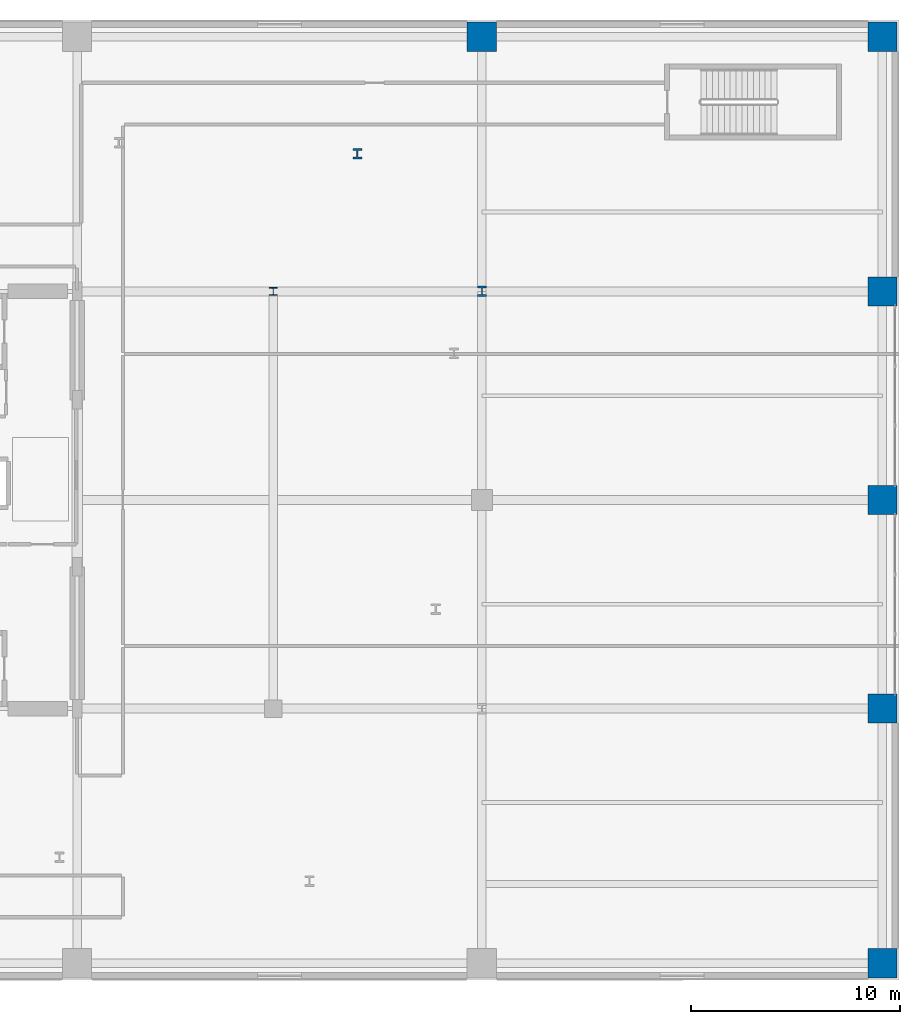
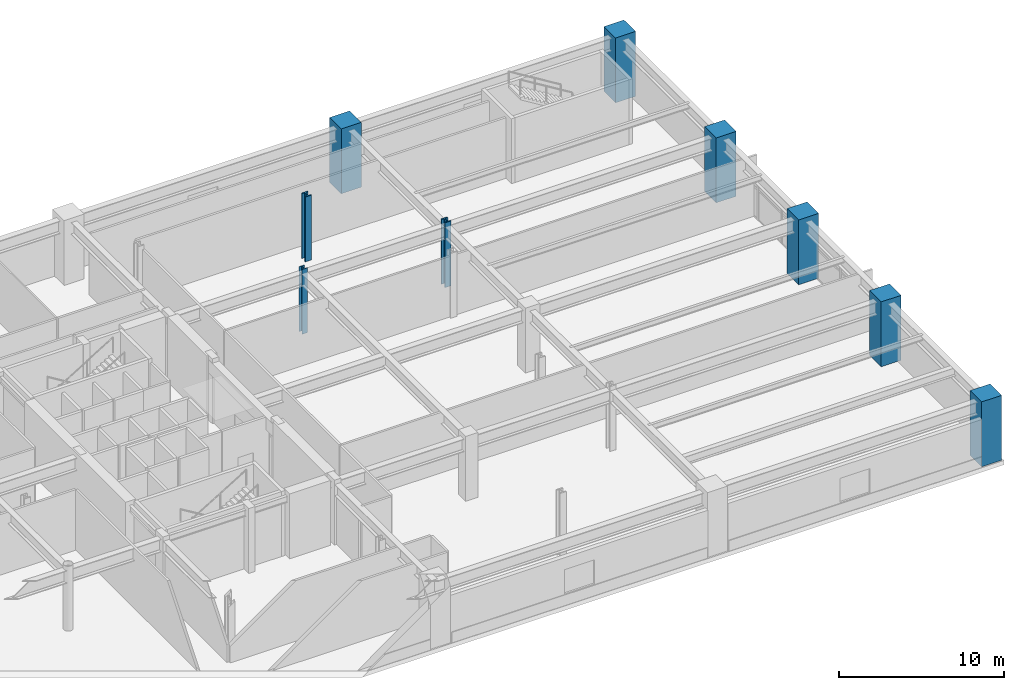
# One storey, part 3 of 28: 9 columns.
"""IFC4 building model written with IfcOpenShell, lengths in metres."""

from ifc_helpers import new_model, si_unit, direction, frame, origin, origin_2d, place, context, subcontext, project, spatial, rectangle, i_section, extrude, material, material_profile, profile_set, type_object, element, save


model = new_model("IFC4")

# Units and contexts
model_context = context("Model", 3, precision=1e-05, world=origin(), true_north=direction((0.0, 1.0)))
body_context = subcontext(model_context, "Body", "Model", "MODEL_VIEW")
ifc_project = project(units=[si_unit("LENGTHUNIT", "METRE"), si_unit("AREAUNIT", "SQUARE_METRE"), si_unit("VOLUMEUNIT", "CUBIC_METRE"), si_unit("PLANEANGLEUNIT", "RADIAN"), si_unit("MASSUNIT", "GRAM", prefix="KILO")], contexts=[model_context])

# Site, building, storey
site_placement = place(None, origin())
site = spatial("IfcSite", under=ifc_project, at=site_placement, CompositionType="ELEMENT")
building_placement = place(site_placement, origin())
building = spatial("IfcBuilding", under=site, at=building_placement, Name="Soratama Intermodal Tower", CompositionType="ELEMENT")
storey_placement = place(building_placement, frame((0.0, 0.0, 11.39990234375)))
storey = spatial("IfcBuildingStorey", under=building, at=storey_placement, Name="L02", CompositionType="ELEMENT", Elevation=11.39990234375)

# Columns
ifc_material_1 = material(Name="Structural steel ASTM A992 Grade 50", Category="steel")
ifc_material_profile_1 = material_profile(ifc_material_1, i_section(OverallWidth=0.39404296875, OverallDepth=0.375, WebThickness=0.017333984375, FlangeThickness=0.027587890625, FilletRadius=0.0380859375, at=origin_2d()), Name="W14X145")
ifc_profile_set_1 = profile_set([ifc_material_profile_1], Name="Structural steel ASTM A992 Grade 50")
column_type_1 = type_object("IfcColumnType", Name="COL-INT-W14X145", PredefinedType="COLUMN", material=ifc_profile_set_1)
column_placement = place(storey_placement, frame((54.0, 35.0, 0.0), z_axis=(0.0, 0.0, 1.0), x_axis=(1.0, 0.0, 0.0)))
element("IfcColumn", 1, at=column_placement, inside=storey, type_object=column_type_1, Name="L02 Station Column P26", PredefinedType="COLUMN", context=body_context, shape_type="SweptSolid", body=[
    extrude(i_section(OverallWidth=0.39404296875, OverallDepth=0.375, WebThickness=0.017333984375, FlangeThickness=0.027587890625, FilletRadius=0.0380859375, at=origin_2d()), origin(), (0.0, 0.0, 1.0), 4.800048828125),
])
ifc_material_2 = material(Name="Concrete f'c 56 MPa", Category="concrete")
ifc_material_profile_2 = material_profile(ifc_material_2, rectangle(XDim=1.39990234375, YDim=1.39990234375, at=origin_2d()), Name="RC1400X1400")
ifc_profile_set_2 = profile_set([ifc_material_profile_2], Name="Concrete f'c 56 MPa")
column_type_2 = type_object("IfcColumnType", Name="COL-POD-EXT-RC1400", PredefinedType="COLUMN", material=ifc_profile_set_2)
for number, where, z_axis, x_axis, name in (
    (2, (83.199951171875, 2.800048828125, 0.0), (0.0, 0.0, 1.0), (1.0, 0.0, 0.0), "L02 Station Column P04"),
    (3, (83.199951171875, 15.0, 0.0), (0.0, 0.0, 1.0), (1.0, 0.0, 0.0), "L02 Station Column P08"),
    (4, (83.199951171875, 35.0, 0.0), (0.0, 0.0, 1.0), (1.0, 0.0, 0.0), "L02 Station Column P12"),
    (5, (64.0, 47.199951171875, 0.0), (0.0, 0.0, 1.0), (1.0, 0.0, 0.0), "L02 Station Column P15"),
    (6, (83.199951171875, 47.199951171875, 0.0), (0.0, 0.0, 1.0), (1.0, 0.0, 0.0), "L02 Station Column P16"),
    (7, (83.199951171875, 25.0, 0.0), (0.0, 0.0, 1.0), (1.0, 0.0, 0.0), "L02 Station Column P20"),
):
    element("IfcColumn", number, at=place(storey_placement, frame(where, z_axis=z_axis, x_axis=x_axis)), inside=storey, type_object=column_type_2, Name=name, PredefinedType="COLUMN", context=body_context, shape_type="SweptSolid", body=[
        extrude(rectangle(XDim=1.39990234375, YDim=1.39990234375, at=origin_2d()), origin(), (0.0, 0.0, 1.0), 4.800048828125),
    ])
ifc_material_3 = material(Name="Structural steel ASTM A992 Grade 50", Category="steel")
ifc_material_profile_3 = material_profile(ifc_material_3, i_section(OverallWidth=0.431884765625, OverallDepth=0.498046875, WebThickness=0.0556640625, FlangeThickness=0.0888671875, FilletRadius=0.0380859375, at=origin_2d()), Name="W14X500")
ifc_profile_set_3 = profile_set([ifc_material_profile_3], Name="Structural steel ASTM A992 Grade 50")
column_type_3 = type_object("IfcColumnType", Name="COL-POD-W14X500", PredefinedType="COLUMN", material=ifc_profile_set_3)
for number, where, z_axis, x_axis, name in (
    (8, (64.0, 35.0, 0.0), (0.0, 0.0, 1.0), (1.0, 0.0, 0.0), "L02 Station Column P11"),
    (9, (58.031982421875, 41.594970703125, 0.0), (0.0, 0.0, 1.0), (1.0, 0.0, 0.0), "L02 Station Column P30"),
):
    element("IfcColumn", number, at=place(storey_placement, frame(where, z_axis=z_axis, x_axis=x_axis)), inside=storey, type_object=column_type_3, Name=name, PredefinedType="COLUMN", context=body_context, shape_type="SweptSolid", body=[
        extrude(i_section(OverallWidth=0.431884765625, OverallDepth=0.498046875, WebThickness=0.0556640625, FlangeThickness=0.0888671875, FilletRadius=0.0380859375, at=origin_2d()), origin(), (0.0, 0.0, 1.0), 4.800048828125),
    ])

save(model, "model.ifc")
